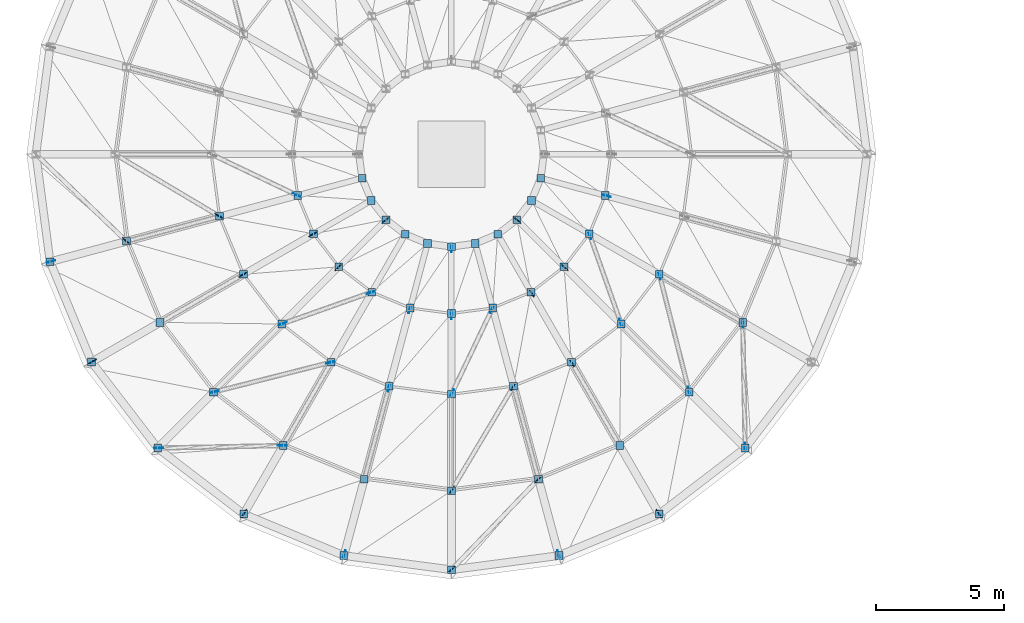
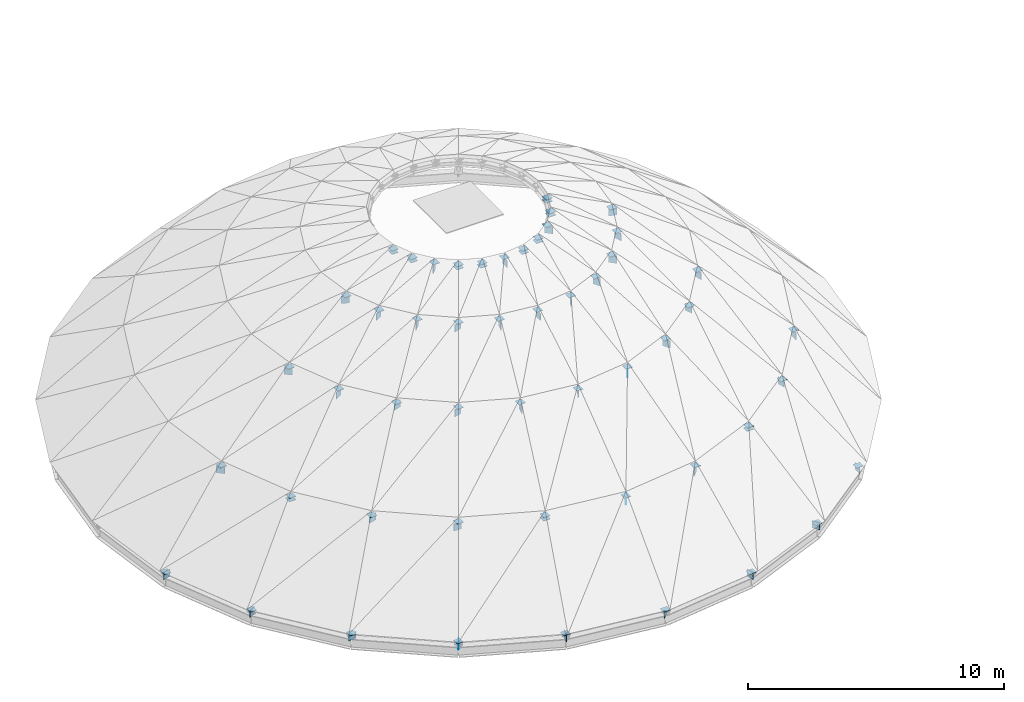
# One storey, part 15 of 19: 102 discrete accessories.
"""IFC4 building model written with IfcOpenShell, lengths in metres."""

from ifc_helpers import new_model, si_unit, direction, frame, origin, origin_2d, place, context, subcontext, project, spatial, rectangle, extrude, material, type_object, element, save


model = new_model("IFC4")

# Units and contexts
model_context = context("Model", 3, precision=1e-05, world=origin(), true_north=direction((0.0, 1.0)))
body_context = subcontext(model_context, "Body", "Model", "MODEL_VIEW")
ifc_project = project(units=[si_unit("LENGTHUNIT", "METRE"), si_unit("AREAUNIT", "SQUARE_METRE"), si_unit("VOLUMEUNIT", "CUBIC_METRE"), si_unit("PLANEANGLEUNIT", "RADIAN"), si_unit("MASSUNIT", "GRAM", prefix="KILO")], contexts=[model_context])

# Site, building, storey
site_placement = place(None, origin())
site = spatial("IfcSite", under=ifc_project, at=site_placement, CompositionType="ELEMENT")
building_placement = place(site_placement, origin())
building = spatial("IfcBuilding", under=site, at=building_placement, Name="Montecoro Central Library", CompositionType="ELEMENT")
storey_placement = place(building_placement, frame((0.0, 0.0, 25.5)))
storey = spatial("IfcBuildingStorey", under=building, at=storey_placement, Name="ROOF", CompositionType="ELEMENT", Elevation=25.5)

# Discrete accessories
ifc_material = material(Name="Steel S355", Category="steel")
discrete_accessory_type = type_object("IfcDiscreteAccessoryType", Name="GUSSET-PLT-01", PredefinedType="BRACKET", material=ifc_material)
for number, where, z_axis, x_axis, name in (
    (1, (78.9169921875, 32.037109375, -4.7998046875), (0.0, 0.0, 1.0), (0.720793110676, -0.69315026625, 0.0), "V1-DOME-BR-B5-S1-GPB"),
    (2, (82.532958984375, 33.001953125, -1.94580078125), (0.0, 0.0, 1.0), (0.859406411501, -0.511293086077, 0.0), "V1-DOME-BR-B5-S2-GPB"),
    (3, (85.571044921875, 33.81396484375, -0.09228515625), (0.0, 0.0, 1.0), (0.902434952642, -0.430826132274, 0.0), "V1-DOME-BR-B5-S3-GPB"),
    (4, (80.198974609375, 23.9599609375, -8.2998046875), (0.0, 0.0, 1.0), (0.999805523312, 0.019720942027, 0.0), "V1-DOME-BR-B6-S1-GPA"),
    (5, (85.010009765625, 24.053955078125, -4.7998046875), (0.0, 0.0, 1.0), (0.999805523312, 0.019720942027, 0.0), "V1-DOME-BR-B6-S1-GPB"),
    (6, (82.3779296875, 26.14697265625, -4.744140625), (0.0, 0.0, 1.0), (0.96918793309, 0.246322451985, 0.0), "V1-DOME-BR-B6-S2-GPA"),
    (7, (86.884033203125, 27.29296875, -1.94580078125), (0.0, 0.0, 1.0), (0.96918793309, 0.246322451985, 0.0), "V1-DOME-BR-B6-S2-GPB"),
    (8, (85.031005859375, 28.803955078125, -1.89794921875), (0.0, 0.0, 1.0), (0.942757954236, 0.33347779495, 0.0), "V1-DOME-BR-B6-S3-GPA"),
    (9, (88.4580078125, 30.01611328125, -0.09228515625), (0.0, 0.0, 1.0), (0.942757954236, 0.33347779495, 0.0), "V1-DOME-BR-B6-S3-GPB"),
    (10, (91.6279296875, 19.2490234375, -8.2998046875), (0.0, 0.0, 1.0), (0.69315026625, 0.720793110676, 0.0), "V1-DOME-BR-B7-S1-GPA"),
    (11, (94.962890625, 22.717041015625, -4.7998046875), (0.0, 0.0, 1.0), (0.69315026625, 0.720793110676, 0.0), "V1-DOME-BR-B7-S1-GPB"),
    (12, (91.6220703125, 22.3359375, -4.744140625), (0.0, 0.0, 1.0), (0.511293086077, 0.859406411501, 0.0), "V1-DOME-BR-B7-S2-GPA"),
    (13, (93.998046875, 26.3330078125, -1.94580078125), (0.0, 0.0, 1.0), (0.511293086077, 0.859406411501, 0.0), "V1-DOME-BR-B7-S2-GPB"),
    (14, (91.618896484375, 26.090087890625, -1.89794921875), (0.0, 0.0, 1.0), (0.430826132274, 0.902434952642, 0.0), "V1-DOME-BR-B7-S3-GPA"),
    (15, (93.18603515625, 29.37109375, -0.09228515625), (0.0, 0.0, 1.0), (0.430826132274, 0.902434952642, 0.0), "V1-DOME-BR-B7-S3-GPB"),
    (16, (103.0400390625, 23.9990234375, -8.2998046875), (0.0, 0.0, 1.0), (-0.019720942027, 0.999805523312, 0.0), "V1-DOME-BR-B8-S1-GPA"),
    (17, (102.946044921875, 28.81005859375, -4.7998046875), (0.0, 0.0, 1.0), (-0.019720942027, 0.999805523312, 0.0), "V1-DOME-BR-B8-S1-GPB"),
    (18, (100.85302734375, 26.177978515625, -4.744140625), (0.0, 0.0, 1.0), (-0.246322451985, 0.96918793309, 0.0), "V1-DOME-BR-B8-S2-GPA"),
    (19, (99.70703125, 30.68408203125, -1.94580078125), (0.0, 0.0, 1.0), (-0.246322451985, 0.96918793309, 0.0), "V1-DOME-BR-B8-S2-GPB"),
    (20, (98.196044921875, 28.8310546875, -1.89794921875), (0.0, 0.0, 1.0), (-0.33347779495, 0.942757954236, 0.0), "V1-DOME-BR-B8-S3-GPA"),
    (21, (96.98388671875, 32.258056640625, -0.09228515625), (0.0, 0.0, 1.0), (-0.33347779495, 0.942757954236, 0.0), "V1-DOME-BR-B8-S3-GPB"),
    (22, (76.012939453125, 31.22412109375, -8.2890625), (0.0, 0.0, 1.0), (0.965925826289, 0.258819045103, 0.0), "V1-DOME-SPK-R2-14-GPA"),
    (23, (77.6259765625, 27.33203125, -8.2890625), (0.0, 0.0, 1.0), (0.865938124132, 0.500151142331, 0.0), "V1-DOME-SPK-R2-15-GPA"),
    (24, (83.465087890625, 30.702880859375, -1.9609375), (0.0, 0.0, 1.0), (0.865938124132, 0.500151142331, 0.0), "V1-DOME-SPK-R2-15-GPB"),
    (25, (86.19091796875, 32.277099609375, -0.10888671875), (0.0, 0.0, 1.0), (0.866112657056, 0.499848842438, 0.0), "V1-DOME-SPK-R3-15-GPB"),
    (26, (87.18310546875, 30.98291015625, -0.10888671875), (0.0, 0.0, 1.0), (0.707106781187, 0.707106781187, 0.0), "V1-DOME-SPK-R3-16-GPB"),
    (27, (89.02001953125, 32.820068359375, 0.833984375), (0.0, 0.0, 1.0), (0.707106781187, 0.707106781187, 0.0), "V1-DOME-SPK-R4-16-GPB"),
    (28, (83.531982421875, 21.426025390625, -8.2890625), (0.0, 0.0, 1.0), (0.500151142331, 0.865938124132, 0.0), "V1-DOME-SPK-R2-17-GPA"),
    (29, (87.424072265625, 19.81298828125, -8.2890625), (0.0, 0.0, 1.0), (0.258819045103, 0.965925826289, 0.0), "V1-DOME-SPK-R2-18-GPA"),
    (30, (89.16796875, 26.326904296875, -1.9609375), (0.0, 0.0, 1.0), (0.258819045103, 0.965925826289, 0.0), "V1-DOME-SPK-R2-18-GPB"),
    (31, (89.98291015625, 29.365966796875, -0.10888671875), (0.0, 0.0, 1.0), (0.258819045103, 0.965925826289, 0.0), "V1-DOME-SPK-R3-18-GPB"),
    (32, (91.60009765625, 29.154052734375, -0.10888671875), (0.0, 0.0, 1.0), (0.0, 1.0, 0.0), "V1-DOME-SPK-R3-19-GPB"),
    (33, (91.60009765625, 31.751953125, 0.833984375), (0.0, 0.0, 1.0), (0.0, 1.0, 0.0), "V1-DOME-SPK-R4-19-GPB"),
    (34, (95.77587890625, 19.81298828125, -8.2890625), (0.0, 0.0, 1.0), (-0.258819045103, 0.965925826289, 0.0), "V1-DOME-SPK-R2-20-GPA"),
    (35, (99.66796875, 21.426025390625, -8.2890625), (0.0, 0.0, 1.0), (-0.500151142331, 0.865938124132, 0.0), "V1-DOME-SPK-R2-21-GPA"),
    (36, (96.297119140625, 27.264892578125, -1.9609375), (0.0, 0.0, 1.0), (-0.500151142331, 0.865938124132, 0.0), "V1-DOME-SPK-R2-21-GPB"),
    (37, (94.722900390625, 29.990966796875, -0.10888671875), (0.0, 0.0, 1.0), (-0.499848842438, 0.866112657056, 0.0), "V1-DOME-SPK-R3-21-GPB"),
    (38, (96.01708984375, 30.98291015625, -0.10888671875), (0.0, 0.0, 1.0), (-0.707106781187, 0.707106781187, 0.0), "V1-DOME-SPK-R3-22-GPB"),
    (39, (94.179931640625, 32.820068359375, 0.833984375), (0.0, 0.0, 1.0), (-0.707106781187, 0.707106781187, 0.0), "V1-DOME-SPK-R4-22-GPB"),
    (40, (97.634033203125, 33.782958984375, -0.10888671875), (0.0, 0.0, 1.0), (-0.965925826289, 0.258819045103, 0.0), "V1-DOME-SPK-R3-24-GPB"),
):
    element("IfcDiscreteAccessory", number, at=place(storey_placement, frame(where, z_axis=z_axis, x_axis=x_axis)), inside=storey, type_object=discrete_accessory_type, Name=name, PredefinedType="BRACKET", context=body_context, shape_type="SweptSolid", body=[
        extrude(rectangle(XDim=0.340087890625, YDim=0.02392578125, at=origin_2d()), origin(), (0.0, 0.0, 1.0), 0.340087890625),
    ])
for number, where, z_axis, x_axis, name in (
    (41, (75.970947265625, 31.2119140625, -7.98193359375), (0.0, 0.0, 1.0), (1.0, 0.0, 0.0), "V1-DOME-STOOL-R0-14-GPB"),
    (42, (77.587890625, 27.31005859375, -7.98193359375), (0.0, 0.0, 1.0), (1.0, 0.0, 0.0), "V1-DOME-STOOL-R0-15-GPB"),
    (43, (80.158935546875, 23.958984375, -7.98193359375), (0.0, 0.0, 1.0), (1.0, 0.0, 0.0), "V1-DOME-STOOL-R0-16-GPB"),
    (44, (83.510009765625, 21.387939453125, -7.98193359375), (0.0, 0.0, 1.0), (1.0, 0.0, 0.0), "V1-DOME-STOOL-R0-17-GPB"),
    (45, (87.412109375, 19.77099609375, -7.98193359375), (0.0, 0.0, 1.0), (1.0, 0.0, 0.0), "V1-DOME-STOOL-R0-18-GPB"),
    (46, (91.60009765625, 19.219970703125, -7.98193359375), (0.0, 0.0, 1.0), (1.0, 0.0, 0.0), "V1-DOME-STOOL-R0-19-GPB"),
    (47, (95.7880859375, 19.77099609375, -7.98193359375), (0.0, 0.0, 1.0), (1.0, 0.0, 0.0), "V1-DOME-STOOL-R0-20-GPB"),
    (48, (99.68994140625, 21.387939453125, -7.98193359375), (0.0, 0.0, 1.0), (1.0, 0.0, 0.0), "V1-DOME-STOOL-R0-21-GPB"),
    (49, (103.041015625, 23.958984375, -7.98193359375), (0.0, 0.0, 1.0), (1.0, 0.0, 0.0), "V1-DOME-STOOL-R0-22-GPB"),
    (50, (78.946044921875, 32.009033203125, -4.421875), (0.0, 0.0, 1.0), (1.0, 0.0, 0.0), "V1-DOME-STOOL-R1-14-GPB"),
    (51, (80.2548828125, 28.85009765625, -4.572021484375), (0.0, 0.0, 1.0), (1.0, 0.0, 0.0), "V1-DOME-STOOL-R1-15-GPA"),
    (52, (80.2548828125, 28.85009765625, -4.421875), (0.0, 0.0, 1.0), (1.0, 0.0, 0.0), "V1-DOME-STOOL-R1-15-GPB"),
    (53, (82.3369140625, 26.136962890625, -4.421875), (0.0, 0.0, 1.0), (1.0, 0.0, 0.0), "V1-DOME-STOOL-R1-16-GPB"),
    (54, (85.050048828125, 24.054931640625, -4.421875), (0.0, 0.0, 1.0), (1.0, 0.0, 0.0), "V1-DOME-STOOL-R1-17-GPB"),
    (55, (88.208984375, 22.74609375, -4.572021484375), (0.0, 0.0, 1.0), (1.0, 0.0, 0.0), "V1-DOME-STOOL-R1-18-GPA"),
    (56, (88.208984375, 22.74609375, -4.421875), (0.0, 0.0, 1.0), (1.0, 0.0, 0.0), "V1-DOME-STOOL-R1-18-GPB"),
    (57, (91.60009765625, 22.300048828125, -4.421875), (0.0, 0.0, 1.0), (1.0, 0.0, 0.0), "V1-DOME-STOOL-R1-19-GPB"),
    (58, (94.990966796875, 22.74609375, -4.421875), (0.0, 0.0, 1.0), (1.0, 0.0, 0.0), "V1-DOME-STOOL-R1-20-GPB"),
    (59, (98.14990234375, 24.054931640625, -4.572021484375), (0.0, 0.0, 1.0), (1.0, 0.0, 0.0), "V1-DOME-STOOL-R1-21-GPA"),
    (60, (98.14990234375, 24.054931640625, -4.421875), (0.0, 0.0, 1.0), (1.0, 0.0, 0.0), "V1-DOME-STOOL-R1-21-GPB"),
    (61, (100.863037109375, 26.136962890625, -4.421875), (0.0, 0.0, 1.0), (1.0, 0.0, 0.0), "V1-DOME-STOOL-R1-22-GPB"),
    (62, (102.945068359375, 28.85009765625, -4.421875), (0.0, 0.0, 1.0), (1.0, 0.0, 0.0), "V1-DOME-STOOL-R1-23-GPB"),
    (63, (82.569091796875, 32.97998046875, -1.572021484375), (0.0, 0.0, 1.0), (1.0, 0.0, 0.0), "V1-DOME-STOOL-R2-14-GPB"),
    (64, (83.5029296875, 30.72509765625, -1.572021484375), (0.0, 0.0, 1.0), (1.0, 0.0, 0.0), "V1-DOME-STOOL-R2-15-GPB"),
    (65, (84.989013671875, 28.7890625, -1.572021484375), (0.0, 0.0, 1.0), (1.0, 0.0, 0.0), "V1-DOME-STOOL-R2-16-GPB"),
    (66, (86.925048828125, 27.302978515625, -1.572021484375), (0.0, 0.0, 1.0), (1.0, 0.0, 0.0), "V1-DOME-STOOL-R2-17-GPB"),
    (67, (89.179931640625, 26.368896484375, -1.572021484375), (0.0, 0.0, 1.0), (1.0, 0.0, 0.0), "V1-DOME-STOOL-R2-18-GPB"),
    (68, (91.60009765625, 26.050048828125, -1.572021484375), (0.0, 0.0, 1.0), (1.0, 0.0, 0.0), "V1-DOME-STOOL-R2-19-GPB"),
    (69, (94.02001953125, 26.368896484375, -1.572021484375), (0.0, 0.0, 1.0), (1.0, 0.0, 0.0), "V1-DOME-STOOL-R2-20-GPB"),
    (70, (96.27490234375, 27.302978515625, -1.572021484375), (0.0, 0.0, 1.0), (1.0, 0.0, 0.0), "V1-DOME-STOOL-R2-21-GPB"),
    (71, (98.2109375, 28.7890625, -1.572021484375), (0.0, 0.0, 1.0), (1.0, 0.0, 0.0), "V1-DOME-STOOL-R2-22-GPB"),
    (72, (99.697021484375, 30.72509765625, -1.572021484375), (0.0, 0.0, 1.0), (1.0, 0.0, 0.0), "V1-DOME-STOOL-R2-23-GPB"),
    (73, (85.611083984375, 33.794921875, 0.278076171875), (0.0, 0.0, 1.0), (1.0, 0.0, 0.0), "V1-DOME-STOOL-R3-14-GPB"),
    (74, (86.23095703125, 32.300048828125, 0.278076171875), (0.0, 0.0, 1.0), (1.0, 0.0, 0.0), "V1-DOME-STOOL-R3-15-GPB"),
    (75, (87.216064453125, 31.01611328125, 0.278076171875), (0.0, 0.0, 1.0), (1.0, 0.0, 0.0), "V1-DOME-STOOL-R3-16-GPB"),
    (76, (88.5, 30.031005859375, 0.278076171875), (0.0, 0.0, 1.0), (1.0, 0.0, 0.0), "V1-DOME-STOOL-R3-17-GPB"),
    (77, (89.9951171875, 29.410888671875, 0.278076171875), (0.0, 0.0, 1.0), (1.0, 0.0, 0.0), "V1-DOME-STOOL-R3-18-GPB"),
    (78, (91.60009765625, 29.199951171875, 0.278076171875), (0.0, 0.0, 1.0), (1.0, 0.0, 0.0), "V1-DOME-STOOL-R3-19-GPB"),
    (79, (93.205078125, 29.410888671875, 0.278076171875), (0.0, 0.0, 1.0), (1.0, 0.0, 0.0), "V1-DOME-STOOL-R3-20-GPB"),
    (80, (94.699951171875, 30.031005859375, 0.278076171875), (0.0, 0.0, 1.0), (1.0, 0.0, 0.0), "V1-DOME-STOOL-R3-21-GPB"),
    (81, (95.98388671875, 31.01611328125, 0.278076171875), (0.0, 0.0, 1.0), (1.0, 0.0, 0.0), "V1-DOME-STOOL-R3-22-GPB"),
    (82, (96.968994140625, 32.300048828125, 0.278076171875), (0.0, 0.0, 1.0), (1.0, 0.0, 0.0), "V1-DOME-STOOL-R3-23-GPB"),
    (83, (97.589111328125, 33.794921875, 0.278076171875), (0.0, 0.0, 1.0), (1.0, 0.0, 0.0), "V1-DOME-STOOL-R3-24-GPB"),
    (84, (88.123046875, 34.468017578125, 1.068115234375), (0.0, 0.0, 1.0), (1.0, 0.0, 0.0), "V1-DOME-STOOL-R4-14-GPA"),
    (85, (88.123046875, 34.468017578125, 1.218017578125), (0.0, 0.0, 1.0), (1.0, 0.0, 0.0), "V1-DOME-STOOL-R4-14-GPB"),
    (86, (88.48193359375, 33.60009765625, 1.068115234375), (0.0, 0.0, 1.0), (1.0, 0.0, 0.0), "V1-DOME-STOOL-R4-15-GPA"),
    (87, (88.48193359375, 33.60009765625, 1.218017578125), (0.0, 0.0, 1.0), (1.0, 0.0, 0.0), "V1-DOME-STOOL-R4-15-GPB"),
    (88, (89.053955078125, 32.85400390625, 1.218017578125), (0.0, 0.0, 1.0), (1.0, 0.0, 0.0), "V1-DOME-STOOL-R4-16-GPB"),
    (89, (89.800048828125, 32.281982421875, 1.068115234375), (0.0, 0.0, 1.0), (1.0, 0.0, 0.0), "V1-DOME-STOOL-R4-17-GPA"),
    (90, (89.800048828125, 32.281982421875, 1.218017578125), (0.0, 0.0, 1.0), (1.0, 0.0, 0.0), "V1-DOME-STOOL-R4-17-GPB"),
    (91, (90.66796875, 31.923095703125, 1.068115234375), (0.0, 0.0, 1.0), (1.0, 0.0, 0.0), "V1-DOME-STOOL-R4-18-GPA"),
    (92, (90.66796875, 31.923095703125, 1.218017578125), (0.0, 0.0, 1.0), (1.0, 0.0, 0.0), "V1-DOME-STOOL-R4-18-GPB"),
    (93, (91.60009765625, 31.800048828125, 1.218017578125), (0.0, 0.0, 1.0), (1.0, 0.0, 0.0), "V1-DOME-STOOL-R4-19-GPB"),
    (94, (92.531982421875, 31.923095703125, 1.068115234375), (0.0, 0.0, 1.0), (1.0, 0.0, 0.0), "V1-DOME-STOOL-R4-20-GPA"),
    (95, (92.531982421875, 31.923095703125, 1.218017578125), (0.0, 0.0, 1.0), (1.0, 0.0, 0.0), "V1-DOME-STOOL-R4-20-GPB"),
    (96, (93.39990234375, 32.281982421875, 1.068115234375), (0.0, 0.0, 1.0), (1.0, 0.0, 0.0), "V1-DOME-STOOL-R4-21-GPA"),
    (97, (93.39990234375, 32.281982421875, 1.218017578125), (0.0, 0.0, 1.0), (1.0, 0.0, 0.0), "V1-DOME-STOOL-R4-21-GPB"),
    (98, (94.14599609375, 32.85400390625, 1.218017578125), (0.0, 0.0, 1.0), (1.0, 0.0, 0.0), "V1-DOME-STOOL-R4-22-GPB"),
    (99, (94.718017578125, 33.60009765625, 1.068115234375), (0.0, 0.0, 1.0), (1.0, 0.0, 0.0), "V1-DOME-STOOL-R4-23-GPA"),
    (100, (94.718017578125, 33.60009765625, 1.218017578125), (0.0, 0.0, 1.0), (1.0, 0.0, 0.0), "V1-DOME-STOOL-R4-23-GPB"),
    (101, (95.076904296875, 34.468017578125, 1.068115234375), (0.0, 0.0, 1.0), (1.0, 0.0, 0.0), "V1-DOME-STOOL-R4-24-GPA"),
    (102, (95.076904296875, 34.468017578125, 1.218017578125), (0.0, 0.0, 1.0), (1.0, 0.0, 0.0), "V1-DOME-STOOL-R4-24-GPB"),
):
    element("IfcDiscreteAccessory", number, at=place(storey_placement, frame(where, z_axis=z_axis, x_axis=x_axis)), inside=storey, type_object=discrete_accessory_type, Name=name, PredefinedType="BRACKET", context=body_context, shape_type="SweptSolid", body=[
        extrude(rectangle(XDim=0.300048828125, YDim=0.300048828125, at=origin_2d()), origin(), (0.0, 0.0, 1.0), 0.02392578125),
    ])

save(model, "model.ifc")
